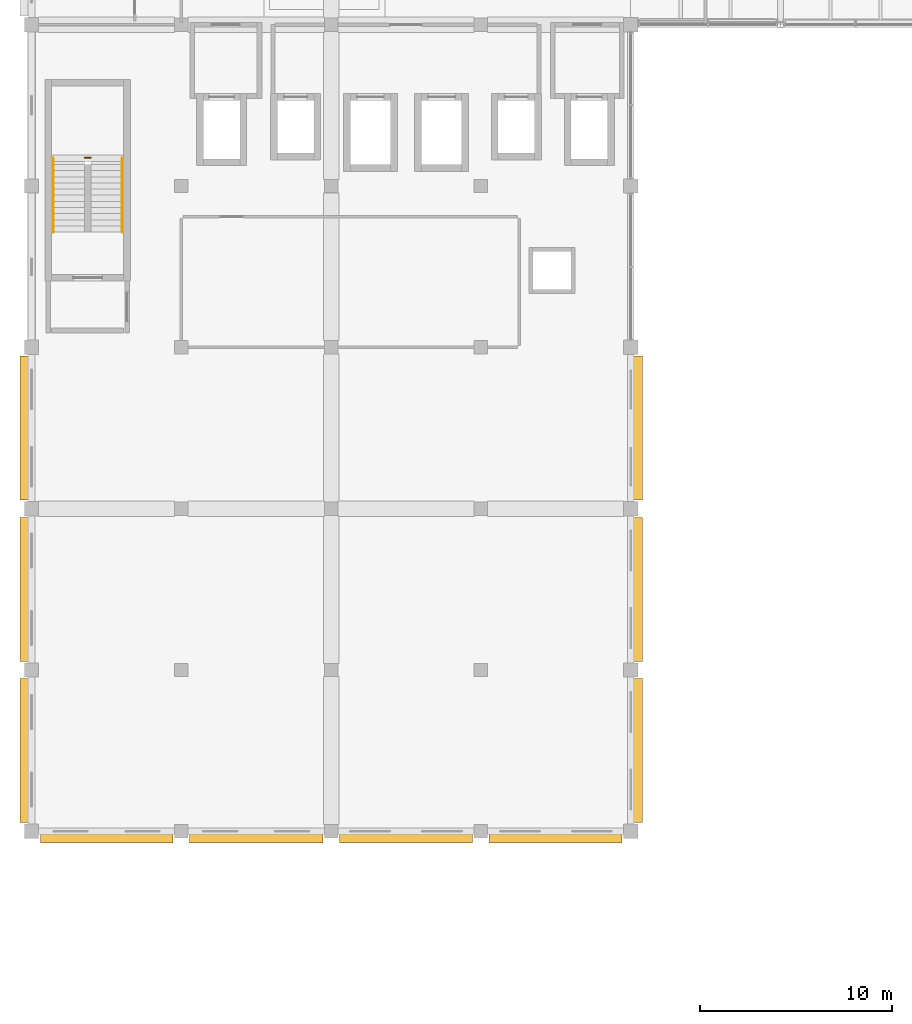
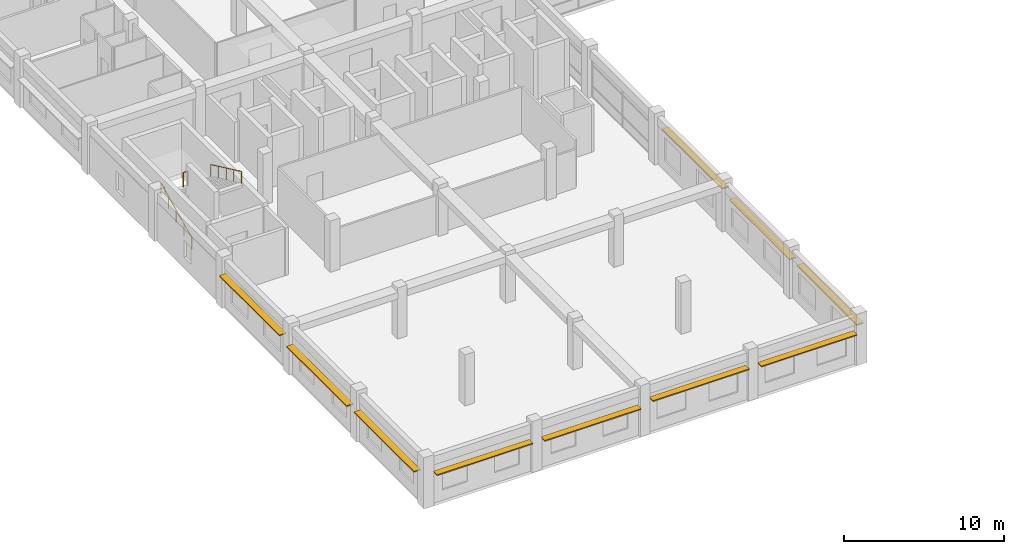
# One storey, part 65 of 72: 10 shading devices, 3 railings.
"""IFC4 building model written with IfcOpenShell, lengths in metres."""

from ifc_helpers import new_model, si_unit, direction, frame, origin, origin_2d, place, context, subcontext, project, spatial, rectangle, circle, extrude, material, layer, layer_set, type_object, element, save


model = new_model("IFC4")

# Units and contexts
model_context = context("Model", 3, precision=1e-05, world=origin(), true_north=direction((0.0, 1.0)))
body_context = subcontext(model_context, "Body", "Model", "MODEL_VIEW")
ifc_project = project(units=[si_unit("LENGTHUNIT", "METRE"), si_unit("AREAUNIT", "SQUARE_METRE"), si_unit("VOLUMEUNIT", "CUBIC_METRE"), si_unit("PLANEANGLEUNIT", "RADIAN"), si_unit("MASSUNIT", "GRAM", prefix="KILO"), si_unit("THERMODYNAMICTEMPERATUREUNIT", "KELVIN"), si_unit("POWERUNIT", "WATT")], contexts=[model_context])

# Site, building, storey
site_placement = place(None, origin())
site = spatial("IfcSite", under=ifc_project, at=site_placement, CompositionType="ELEMENT")
building_placement = place(site_placement, origin())
building = spatial("IfcBuilding", under=site, at=building_placement, Name="Srebrne Nadtorze General Hospital", CompositionType="ELEMENT")
storey_placement = place(building_placement, frame((0.0, 0.0, 22.199951171875)))
storey = spatial("IfcBuildingStorey", under=building, at=storey_placement, Name="L05", CompositionType="ELEMENT", Elevation=22.199951171875)

# Shading devices
ifc_material_1 = material(Name="Anodised Aluminium", Category="aluminium")
ifc_layer = layer(ifc_material_1, 0.080078125)
ifc_layer_set = layer_set([ifc_layer], Name="Anodised Aluminium")
shading_device_type = type_object("IfcShadingDeviceType", Name="Hisashi horizontal aluminium sunshade", PredefinedType="JALOUSIE", material=ifc_layer_set)
shading_device_1_placement = place(storey_placement, frame((27.3125, 8.0400390625, 2.3701171875), z_axis=(0.0, 0.0, 1.0), x_axis=(1.0, 0.0, 0.0)))
element("IfcShadingDevice", 1, at=shading_device_1_placement, inside=storey, type_object=shading_device_type, Name="Hisashi horizontal sunshade eave LV-311", PredefinedType="JALOUSIE", context=body_context, shape_type="SweptSolid", body=[
    extrude(rectangle(XDim=6.9150390625, YDim=0.47998046875, at=origin_2d()), origin(), (0.0, 0.0, 1.0), 0.080078125),
])
for number, where, z_axis, x_axis, name in (
    (2, (35.10009765625, 8.0400390625, 2.27001953125), (0.0, 0.0, 1.0), (1.0, 0.0, 0.0), "Hisashi horizontal sunshade eave LV-312"),
    (3, (42.89990234375, 8.0400390625, 2.570068359375), (0.0, 0.0, 1.0), (1.0, 0.0, 0.0), "Hisashi horizontal sunshade eave LV-313"),
):
    element("IfcShadingDevice", number, at=place(storey_placement, frame(where, z_axis=z_axis, x_axis=x_axis)), inside=storey, type_object=shading_device_type, Name=name, PredefinedType="JALOUSIE", context=body_context, shape_type="SweptSolid", body=[
        extrude(rectangle(XDim=6.93994140625, YDim=0.47998046875, at=origin_2d()), origin(), (0.0, 0.0, 1.0), 0.080078125),
    ])
shading_device_2_placement = place(storey_placement, frame((50.6875, 8.0400390625, 2.469970703125), z_axis=(0.0, 0.0, 1.0), x_axis=(1.0, 0.0, 0.0)))
element("IfcShadingDevice", 4, at=shading_device_2_placement, inside=storey, type_object=shading_device_type, Name="Hisashi horizontal sunshade eave LV-314", PredefinedType="JALOUSIE", context=body_context, shape_type="SweptSolid", body=[
    extrude(rectangle(XDim=6.9150390625, YDim=0.47998046875, at=origin_2d()), origin(), (0.0, 0.0, 1.0), 0.080078125),
])
for number, where, z_axis, x_axis, name in (
    (5, (23.0400390625, 12.60009765625, 2.3701171875), (0.0, 0.0, 1.0), (1.0, 0.0, 0.0), "Hisashi horizontal sunshade eave LV-315"),
    (6, (23.0400390625, 21.0, 2.27001953125), (0.0, 0.0, 1.0), (1.0, 0.0, 0.0), "Hisashi horizontal sunshade eave LV-316"),
    (7, (23.0400390625, 29.39990234375, 2.570068359375), (0.0, 0.0, 1.0), (1.0, 0.0, 0.0), "Hisashi horizontal sunshade eave LV-317"),
    (8, (54.9599609375, 12.60009765625, 2.3701171875), (0.0, 0.0, 1.0), (1.0, 0.0, 0.0), "Hisashi horizontal sunshade eave LV-321"),
    (9, (54.9599609375, 21.0, 2.27001953125), (0.0, 0.0, 1.0), (1.0, 0.0, 0.0), "Hisashi horizontal sunshade eave LV-322"),
    (10, (54.9599609375, 29.39990234375, 2.570068359375), (0.0, 0.0, 1.0), (1.0, 0.0, 0.0), "Hisashi horizontal sunshade eave LV-323"),
):
    element("IfcShadingDevice", number, at=place(storey_placement, frame(where, z_axis=z_axis, x_axis=x_axis)), inside=storey, type_object=shading_device_type, Name=name, PredefinedType="JALOUSIE", context=body_context, shape_type="SweptSolid", body=[
        extrude(rectangle(XDim=0.47998046875, YDim=7.489990234375, at=origin_2d()), origin(), (0.0, 0.0, 1.0), 0.080078125),
    ])

# Railings
ifc_material_2 = material(Name="Stainless Steel 316", Category="steel")
railing_type_1 = type_object("IfcRailingType", Name="Stairwell safety guard 1120", PredefinedType="BALUSTRADE", material=ifc_material_2)
railing_1_placement = place(storey_placement, frame((26.1650390625, 43.47998046875, 1.949951171875)))
element("IfcRailing", 11, at=railing_1_placement, inside=storey, type_object=railing_type_1, Name="Half landing well guard ST-01-L05", PredefinedType="BALUSTRADE", context=body_context, shape_type="SweptSolid", body=[
    extrude(circle(Radius=0.02392578125, at=origin_2d()), frame((0.0, 0.0, 1.09619140625), z_axis=(1.0, 0.0, 0.0), x_axis=(0.0, 1.0, 0.0)), (0.0, 0.0, 1.0), 0.320068359375),
    extrude(circle(Radius=0.02099609375, at=origin_2d()), origin(), (0.0, 0.0, 1.0), 1.072021484375),
    extrude(circle(Radius=0.02099609375, at=origin_2d()), frame((0.320068359375, 0.0, 0.0)), (0.0, 0.0, 1.0), 1.072021484375),
])
ifc_material_3 = material(Name="Stainless Steel 316", Category="steel")
railing_type_2 = type_object("IfcRailingType", Name="Tubular stainless handrail 920", PredefinedType="HANDRAIL", material=ifc_material_3)
railing_2_placement = place(storey_placement, frame((24.530029296875, 39.60009765625, 0.150146484375)))
element("IfcRailing", 12, at=railing_2_placement, inside=storey, type_object=railing_type_2, Name="Stair flight handrail ST-01-L05 F1", PredefinedType="HANDRAIL", context=body_context, shape_type="SweptSolid", body=[
    extrude(circle(Radius=0.02392578125, at=origin_2d()), frame((0.0, 0.0, 0.89599609375), z_axis=(0.0, 0.905469998052, 0.424410276299), x_axis=(-1.0, 0.0, 0.0)), (0.0, 0.0, 1.0), 4.24072265625),
    extrude(circle(Radius=0.02099609375, at=origin_2d()), origin(), (0.0, 0.0, 1.0), 0.871826171875),
    extrude(circle(Radius=0.02099609375, at=origin_2d()), frame((0.0, 0.9599609375, 0.449951171875)), (0.0, 0.0, 1.0), 0.871826171875),
    extrude(circle(Radius=0.02099609375, at=origin_2d()), frame((0.0, 1.919921875, 0.89990234375)), (0.0, 0.0, 1.0), 0.871826171875),
    extrude(circle(Radius=0.02099609375, at=origin_2d()), frame((0.0, 2.8798828125, 1.349853515625)), (0.0, 0.0, 1.0), 0.871826171875),
    extrude(circle(Radius=0.02099609375, at=origin_2d()), frame((0.0, 3.83984375, 1.7998046875)), (0.0, 0.0, 1.0), 0.871826171875),
])
railing_3_placement = place(storey_placement, frame((28.1201171875, 43.43994140625, 2.10009765625)))
element("IfcRailing", 13, at=railing_3_placement, inside=storey, type_object=railing_type_2, Name="Stair flight handrail ST-01-L05 F2", PredefinedType="HANDRAIL", context=body_context, shape_type="SweptSolid", body=[
    extrude(circle(Radius=0.02392578125, at=origin_2d()), frame((0.0, 0.0, 0.89599609375), z_axis=(0.0, -0.905447873521, 0.424457475297), x_axis=(1.0, 0.0, 0.0)), (0.0, 0.0, 1.0), 4.24072265625),
    extrude(circle(Radius=0.02099609375, at=origin_2d()), origin(), (0.0, 0.0, 1.0), 0.871826171875),
    extrude(circle(Radius=0.02099609375, at=origin_2d()), frame((0.0, -0.9599609375, 0.449951171875)), (0.0, 0.0, 1.0), 0.871826171875),
    extrude(circle(Radius=0.02099609375, at=origin_2d()), frame((0.0, -1.919921875, 0.89990234375)), (0.0, 0.0, 1.0), 0.871826171875),
    extrude(circle(Radius=0.02099609375, at=origin_2d()), frame((0.0, -2.8798828125, 1.35009765625)), (0.0, 0.0, 1.0), 0.871826171875),
    extrude(circle(Radius=0.02099609375, at=origin_2d()), frame((0.0, -3.83984375, 1.800048828125)), (0.0, 0.0, 1.0), 0.871826171875),
])

save(model, "model.ifc")
